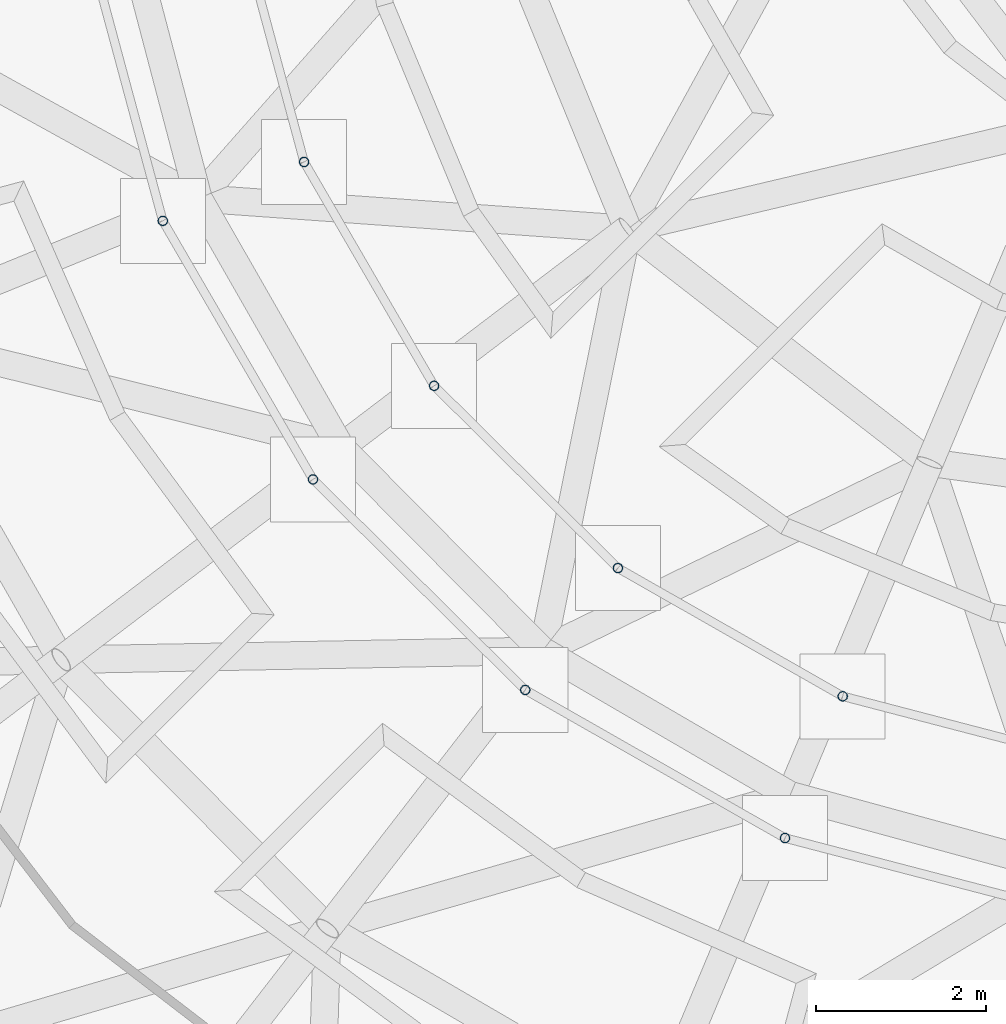
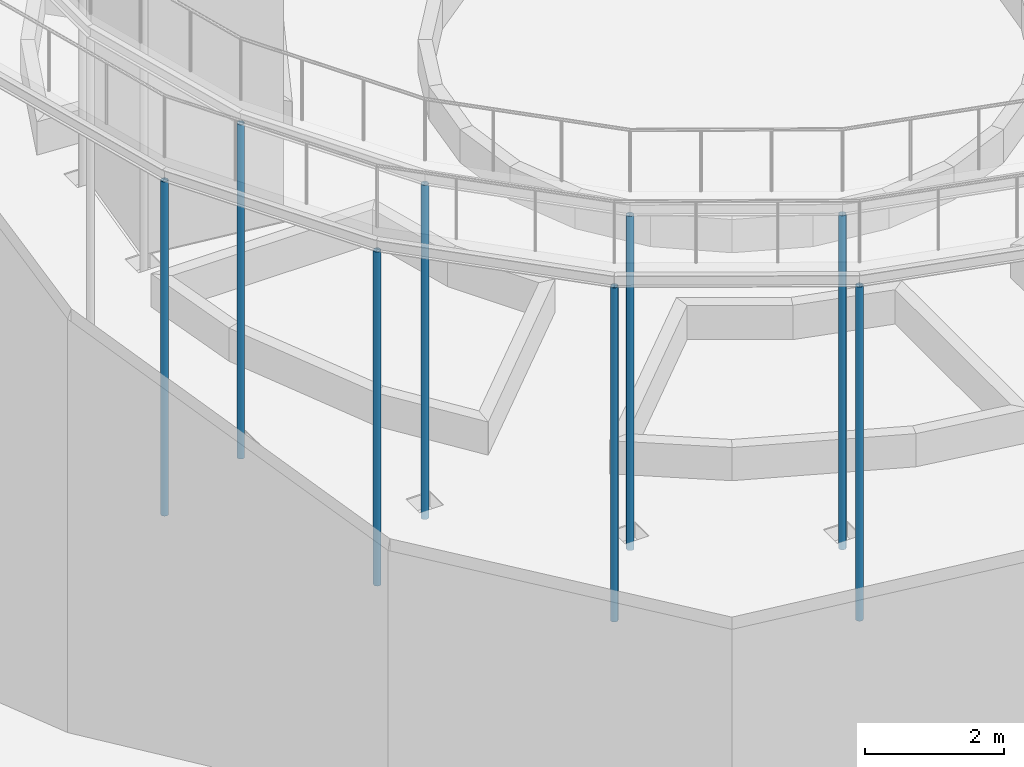
# One storey, part 25 of 226: 8 columns.
"""IFC4 building model written with IfcOpenShell, lengths in metres."""

from ifc_helpers import new_model, si_unit, direction, frame, origin, origin_2d, place, context, subcontext, project, spatial, hollow_circle, extrude, material, material_profile, profile_set, type_object, element, save


model = new_model("IFC4")

# Units and contexts
model_context = context("Model", 3, precision=1e-05, world=origin(), true_north=direction((0.0, 1.0)))
body_context = subcontext(model_context, "Body", "Model", "MODEL_VIEW")
ifc_project = project(units=[si_unit("LENGTHUNIT", "METRE"), si_unit("AREAUNIT", "SQUARE_METRE"), si_unit("VOLUMEUNIT", "CUBIC_METRE"), si_unit("PLANEANGLEUNIT", "RADIAN"), si_unit("MASSUNIT", "GRAM", prefix="KILO")], contexts=[model_context])

# Site, building, storey
site_placement = place(None, origin())
site = spatial("IfcSite", under=ifc_project, at=site_placement, CompositionType="ELEMENT")
building_placement = place(site_placement, origin())
building = spatial("IfcBuilding", under=site, at=building_placement, Name="Ceibo Conservatory and Research Tower", CompositionType="ELEMENT")
storey_placement = place(building_placement, origin())
storey = spatial("IfcBuildingStorey", under=building, at=storey_placement, Name="L00", CompositionType="ELEMENT", Elevation=0.0)

# Columns
ifc_material = material(Name="Steel ASTM A500 Gr C", Category="steel")
ifc_material_profile = material_profile(ifc_material, hollow_circle(Radius=0.05712890625, WallThickness=0.006103515625, at=origin_2d()), Name="CHS column 114.3x6.02")
ifc_profile_set = profile_set([ifc_material_profile], Name="Steel ASTM A500 Gr C")
column_type = type_object("IfcColumnType", Name="CHS column 114.3x6.02", PredefinedType="COLUMN", material=ifc_profile_set)
for number, where, z_axis, x_axis, name in (
    (1, (143.63037109375, 102.84716796875, -0.25), (0.0, 0.0, 1.0), (1.0, 0.0, 0.0), "Walkway column WK-C09O"),
    (2, (145.2919921875, 103.539306640625, -0.25), (0.0, 0.0, 1.0), (1.0, 0.0, 0.0), "Walkway column WK-C09I"),
    (3, (145.396484375, 99.806884765625, -0.25), (0.0, 0.0, 1.0), (1.0, 0.0, 0.0), "Walkway column WK-C10O"),
    (4, (146.82080078125, 100.907470703125, -0.25), (0.0, 0.0, 1.0), (1.0, 0.0, 0.0), "Walkway column WK-C10I"),
    (5, (147.892578125, 97.330810546875, -0.25), (0.0, 0.0, 1.0), (1.0, 0.0, 0.0), "Walkway column WK-C11O"),
    (6, (148.981689453125, 98.763916015625, -0.25), (0.0, 0.0, 1.0), (1.0, 0.0, 0.0), "Walkway column WK-C11I"),
    (7, (150.947021484375, 95.58935546875, -0.25), (0.0, 0.0, 1.0), (1.0, 0.0, 0.0), "Walkway column WK-C12O"),
    (8, (151.625732421875, 97.25634765625, -0.25), (0.0, 0.0, 1.0), (1.0, 0.0, 0.0), "Walkway column WK-C12I"),
):
    element("IfcColumn", number, at=place(storey_placement, frame(where, z_axis=z_axis, x_axis=x_axis)), inside=storey, type_object=column_type, Name=name, PredefinedType="COLUMN", context=body_context, shape_type="SweptSolid", body=[
        extrude(hollow_circle(Radius=0.05712890625, WallThickness=0.006103515625, at=origin_2d()), origin(), (0.0, 0.0, 1.0), 5.85009765625),
    ])

save(model, "model.ifc")
